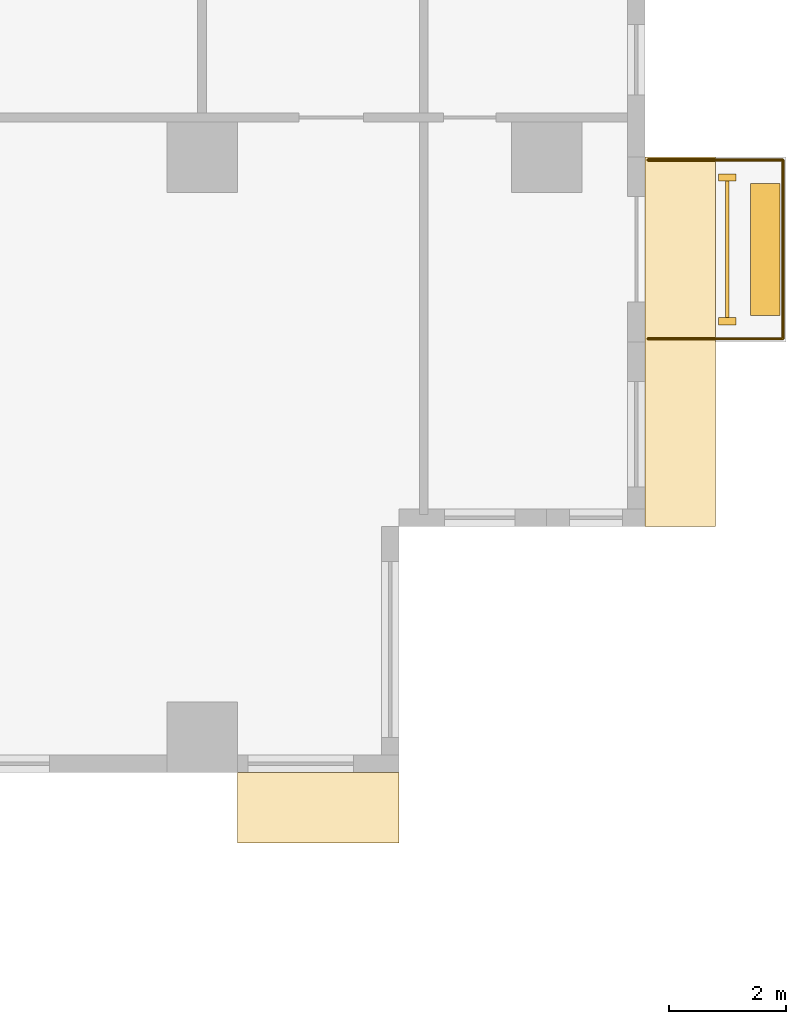
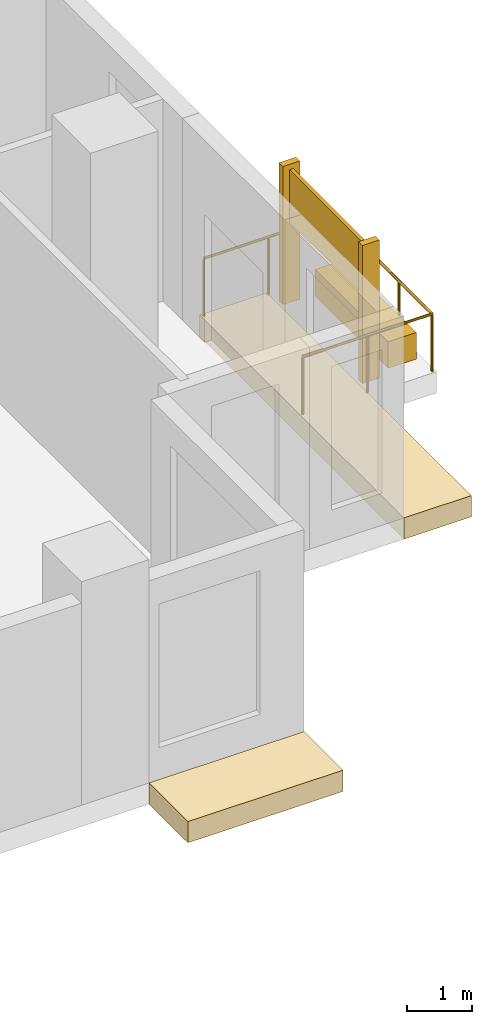
# One storey, part 15 of 15: 6 coverings, 1 railing.
"""IFC4 building model written with IfcOpenShell, lengths in metres."""

from ifc_helpers import new_model, si_unit, direction, frame, origin, origin_2d, place, context, subcontext, project, spatial, polyline, rectangle, circle, outline, extrude, source, transform, mapped, material, type_object, element, save


model = new_model("IFC4")

# Units and contexts
model_context = context("Model", 3, precision=1e-05, world=origin(), true_north=direction((0.0, 1.0)))
body_context = subcontext(model_context, "Body", "Model", "MODEL_VIEW")
ifc_project = project(units=[si_unit("LENGTHUNIT", "METRE"), si_unit("AREAUNIT", "SQUARE_METRE"), si_unit("VOLUMEUNIT", "CUBIC_METRE"), si_unit("PLANEANGLEUNIT", "RADIAN"), si_unit("MASSUNIT", "GRAM", prefix="KILO")], contexts=[model_context])

# Site, building, storey
site_placement = place(None, origin())
site = spatial("IfcSite", under=ifc_project, at=site_placement, CompositionType="ELEMENT")
building_placement = place(site_placement, origin())
building = spatial("IfcBuilding", under=site, at=building_placement, Name="Aurelian Terraces", CompositionType="ELEMENT")
storey_placement = place(building_placement, frame((0.0, 0.0, 82.5)))
storey = spatial("IfcBuildingStorey", under=building, at=storey_placement, Name="L17", CompositionType="ELEMENT", Elevation=82.5)

# Coverings
ifc_material_1 = material(Name="Terracotta roof tiles on membrane", Category="masonry")
covering_type_1 = type_object("IfcCoveringType", Name="Bay roof cover", PredefinedType="ROOFING", material=ifc_material_1)
covering_1_placement = place(storey_placement, frame((0.0, 0.0, -0.4)))
element("IfcCovering", 1, at=covering_1_placement, inside=storey, type_object=covering_type_1, Name="Bay roof L17 64.44_-1.20_67.20_0.00", PredefinedType="ROOFING", context=body_context, shape_type="SweptSolid", body=[
    extrude(outline(polyline([(64.44, 0.0), (67.2, 0.0), (67.2, -1.2), (64.44, -1.2), (64.44, 0.0)])), origin(), (0.0, 0.0, 1.0), 0.4),
])
covering_2_placement = place(storey_placement, frame((0.0, 0.0, -0.4)))
element("IfcCovering", 2, at=covering_2_placement, inside=storey, type_object=covering_type_1, Name="Bay roof L17 71.40_4.20_72.60_10.50", PredefinedType="ROOFING", context=body_context, shape_type="SweptSolid", body=[
    extrude(outline(polyline([(71.4, 4.2), (71.4, 10.5), (72.6, 10.5), (72.6, 4.2), (71.4, 4.2)])), origin(), (0.0, 0.0, 1.0), 0.4),
])
ifc_material_2 = material(Name="Terracotta rainscreen cladding relief", Category="masonry")
covering_type_2 = type_object("IfcCoveringType", Name="FIN-TC", PredefinedType="CLADDING", material=ifc_material_2)
shared_shape_1 = source(origin(), body_context, "Body", "SweptSolid", [
    extrude(rectangle(XDim=0.3, YDim=0.12, at=origin_2d()), origin(), (0.0, 0.0, 1.0), 2.6),
])
for number, where, z_axis, x_axis, name in (
    (3, (72.8, 7.7, 0.0), (0.0, 0.0, 1.0), (1.0, 0.0, 0.0), "FIN L17 L17-F04-16.1"),
    (4, (72.8, 10.15, 0.0), (0.0, 0.0, 1.0), (1.0, 0.0, 0.0), "FIN L17 L17-F04-16.2"),
):
    element("IfcCovering", number, at=place(storey_placement, frame(where, z_axis=z_axis, x_axis=x_axis)), inside=storey, type_object=covering_type_2, Name=name, PredefinedType="CLADDING", context=body_context, shape_type="MappedRepresentation", body=[
        mapped(shared_shape_1, transform((0.0, 0.0, 0.0), scale=1.0)),
    ])

# Railing
ifc_material_3 = material(Name="Anodised aluminium", Category="aluminium")
railing_type = type_object("IfcRailingType", Name="GUARD-1100", PredefinedType="GUARDRAIL", material=ifc_material_3)
shared_shape_2 = source(origin(), body_context, "Body", "SweptSolid", [
    extrude(circle(Radius=0.024, at=origin_2d()), frame((0.0, 0.0, 1.076), z_axis=(1.0, 0.0, 0.0), x_axis=(0.0, 1.0, 0.0)), (0.0, 0.0, 1.0), 2.3),
    extrude(circle(Radius=0.024, at=origin_2d()), frame((2.3, 0.0, 1.076), z_axis=(0.0, 1.0, 0.0), x_axis=(-1.0, 0.0, 0.0)), (0.0, 0.0, 1.0), 3.05),
    extrude(circle(Radius=0.024, at=origin_2d()), frame((2.3, 3.05, 1.076), z_axis=(-1.0, 0.0, 0.0), x_axis=(0.0, -1.0, 0.0)), (0.0, 0.0, 1.0), 2.3),
    extrude(circle(Radius=0.021, at=origin_2d()), origin(), (0.0, 0.0, 1.0), 1.052),
    extrude(circle(Radius=0.021, at=origin_2d()), frame((1.15, 0.0, 0.0)), (0.0, 0.0, 1.0), 1.052),
    extrude(circle(Radius=0.021, at=origin_2d()), frame((2.3, 0.0, 0.0)), (0.0, 0.0, 1.0), 1.052),
    extrude(circle(Radius=0.021, at=origin_2d()), frame((2.3, 1.0167, 0.0)), (0.0, 0.0, 1.0), 1.052),
    extrude(circle(Radius=0.021, at=origin_2d()), frame((2.3, 2.0333, 0.0)), (0.0, 0.0, 1.0), 1.052),
    extrude(circle(Radius=0.021, at=origin_2d()), frame((2.3, 3.05, 0.0)), (0.0, 0.0, 1.0), 1.052),
    extrude(circle(Radius=0.021, at=origin_2d()), frame((1.15, 3.05, 0.0)), (0.0, 0.0, 1.0), 1.052),
    extrude(circle(Radius=0.021, at=origin_2d()), frame((0.0, 3.05, 0.0)), (0.0, 0.0, 1.0), 1.052),
])
railing_placement = place(storey_placement, frame((71.45, 7.4, 0.0)))
element("IfcRailing", 5, at=railing_placement, inside=storey, type_object=railing_type, Name="Balcony guard L17 F04.16", PredefinedType="GUARDRAIL", context=body_context, shape_type="MappedRepresentation", body=[
    mapped(shared_shape_2, transform((0.0, 0.0, 0.0), scale=1.0)),
])

# Coverings
ifc_material_4 = material(Name="Terracotta planter with planting soil", Category="masonry")
covering_type_3 = type_object("IfcCoveringType", Name="PLANTER-TROUGH", PredefinedType="USERDEFINED", material=ifc_material_4)
shared_shape_3 = source(origin(), body_context, "Body", "SweptSolid", [
    extrude(rectangle(XDim=0.5, YDim=2.25, at=origin_2d()), origin(), (0.0, 0.0, 1.0), 0.5),
])
covering_3_placement = place(storey_placement, frame((73.45, 8.925, 0.0), z_axis=(0.0, 0.0, 1.0), x_axis=(1.0, 0.0, 0.0)))
element("IfcCovering", 6, at=covering_3_placement, inside=storey, type_object=covering_type_3, Name="PLANTER L17 L17-F04-16", ObjectType="PLANTER", PredefinedType="USERDEFINED", context=body_context, shape_type="MappedRepresentation", body=[
    mapped(shared_shape_3, transform((0.0, 0.0, 0.0), scale=1.0)),
])
ifc_material_5 = material(Name="Terracotta rainscreen cladding", Category="masonry")
covering_type_4 = type_object("IfcCoveringType", Name="SCREEN-TC", PredefinedType="CLADDING", material=ifc_material_5)
shared_shape_4 = source(origin(), body_context, "Body", "SweptSolid", [
    extrude(rectangle(XDim=0.06, YDim=2.33, at=origin_2d()), origin(), (0.0, 0.0, 1.0), 1.0),
])
covering_4_placement = place(storey_placement, frame((72.8, 8.925, 1.5), z_axis=(0.0, 0.0, 1.0), x_axis=(1.0, 0.0, 0.0)))
element("IfcCovering", 7, at=covering_4_placement, inside=storey, type_object=covering_type_4, Name="SCREEN L17 L17-F04-16", PredefinedType="CLADDING", context=body_context, shape_type="MappedRepresentation", body=[
    mapped(shared_shape_4, transform((0.0, 0.0, 0.0), scale=1.0)),
])

save(model, "model.ifc")
